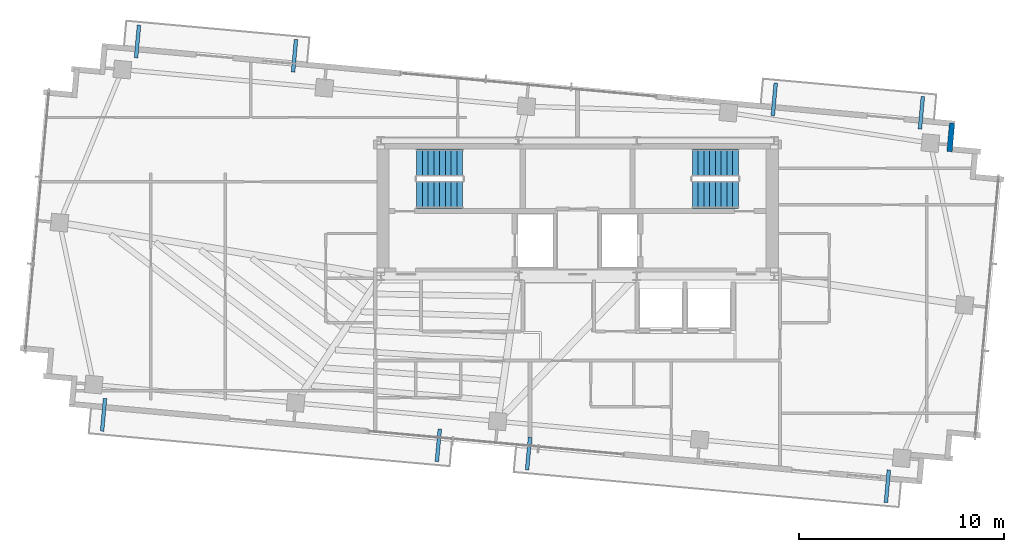
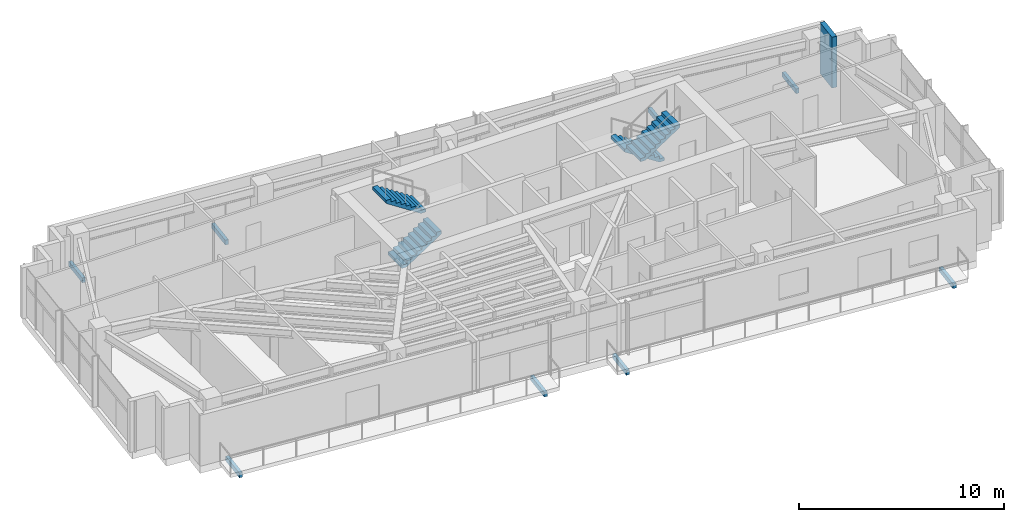
# One storey, part 19 of 22: 8 discrete accessories, 4 stair flights, 1 wall, 2 elements without a shape of their own.
"""IFC4 building model written with IfcOpenShell, lengths in metres."""

from ifc_helpers import new_model, si_unit, direction, frame, frame_2d, origin, origin_2d, place, context, subcontext, project, spatial, polyline, rectangle, outline, extrude, source, transform, mapped, material, layer, layer_set, type_object, type_shapes, element, aggregate, save


model = new_model("IFC4")

# Units and contexts
model_context = context("Model", 3, precision=1e-05, world=origin(), true_north=direction((0.0, 1.0)))
body_context = subcontext(model_context, "Body", "Model", "MODEL_VIEW")
ifc_project = project(units=[si_unit("LENGTHUNIT", "METRE"), si_unit("AREAUNIT", "SQUARE_METRE"), si_unit("VOLUMEUNIT", "CUBIC_METRE"), si_unit("PLANEANGLEUNIT", "RADIAN"), si_unit("MASSUNIT", "GRAM", prefix="KILO")], contexts=[model_context])

# Site, building, storey
site_placement = place(None, origin())
site = spatial("IfcSite", under=ifc_project, at=site_placement, CompositionType="ELEMENT")
building_placement = place(site_placement, origin())
building = spatial("IfcBuilding", under=site, at=building_placement, Name="Astriad Promenade Condominiums", CompositionType="ELEMENT")
storey_placement = place(building_placement, frame((0.0, 0.0, 216.60009765625)))
storey = spatial("IfcBuildingStorey", under=building, at=storey_placement, Name="L62", CompositionType="ELEMENT", Elevation=216.60009765625)

# Wall
ifc_material_1 = material(Name="Precast concrete C50/60", Category="concrete")
ifc_layer = layer(ifc_material_1, 0.260009765625)
ifc_layer_set = layer_set([ifc_layer], Name="Precast concrete C50/60")
wall_type = type_object("IfcWallType", Name="WALL-EXT-TWR-260", PredefinedType="STANDARD", material=ifc_layer_set)
wall_placement = place(storey_placement, frame((54.28076171875, 24.866455078125, 0.0), z_axis=(0.0, 0.0, 1.0), x_axis=(-0.090661991521, -0.995881721538, 0.0)))
element("IfcWall", 1, at=wall_placement, inside=storey, type_object=wall_type, Name="W-SER-L62-09", PredefinedType="STANDARD", context=body_context, shape_type="SweptSolid", body=[
    extrude(rectangle(XDim=1.39501953125, YDim=0.260009765625, at=frame_2d((0.697509765625, 0.0))), origin(), (0.0, 0.0, 1.0), 3.039794921875),
])

# Stair, stair flights
ifc_material_2 = material(Name="Concrete C50/60", Category="concrete")
stair_type = type_object("IfcStairType", Name="STR-CORE-1350", PredefinedType="HALF_TURN_STAIR", material=ifc_material_2)
stair_1_placement = place(storey_placement, origin())
stair_1 = element("IfcStair", 2, at=stair_1_placement, inside=storey, type_object=stair_type, Name="L62 Enclosed Core Exit Stair ST-1", PredefinedType="HALF_TURN_STAIR")
stair_flight_type = type_object("IfcStairFlightType", Name="SFL-CORE-1350", PredefinedType="STRAIGHT", material=ifc_material_2)
shared_shape_1 = source(origin(), body_context, "Body", "SweptSolid", [
    extrude(outline(polyline([(0.0, 0.0), (0.0, 0.183349609375), (0.280029296875, 0.183349609375), (0.280029296875, 0.36669921875), (0.56005859375, 0.36669921875), (0.56005859375, 0.550048828125), (0.840087890625, 0.550048828125), (0.840087890625, 0.7333984375), (1.1201171875, 0.7333984375), (1.1201171875, 0.916748046875), (1.39990234375, 0.916748046875), (1.39990234375, 1.10009765625), (1.679931640625, 1.10009765625), (1.679931640625, 1.283447265625), (1.9599609375, 1.283447265625), (1.9599609375, 1.466552734375), (2.239990234375, 1.466552734375), (2.239990234375, 1.64990234375), (2.239990234375, 1.28759765625), (0.273681640625, 0.0), (0.0, 0.0)])), frame((0.0, 0.675048828125, 0.0), z_axis=(0.0, -1.0, 0.0), x_axis=(1.0, 0.0, 0.0)), (0.0, 0.0, 1.0), 1.35009765625),
])
type_shapes(stair_flight_type, [shared_shape_1])
stair_flight_1_placement = place(storey_placement, frame((28.14990234375, 21.375, 0.0), z_axis=(0.0, 0.0, 1.0), x_axis=(1.0, 0.0, 0.0)))
stair_flight_1 = element("IfcStairFlight", 3, at=stair_flight_1_placement, type_object=stair_flight_type, Name="ST-1 flight 1", NumberOfRisers=9, NumberOfTreads=8, PredefinedType="STRAIGHT", RiserHeight=0.183333333, TreadLength=0.28, context=body_context, shape_type="MappedRepresentation", body=[
    mapped(shared_shape_1, transform((0.0, 0.0, 0.0), scale=1.0)),
])
stair_flight_2_placement = place(storey_placement, frame((30.389892578125, 22.925048828125, 1.64990234375), z_axis=(0.0, 0.0, 1.0), x_axis=(-1.0, 0.0, 0.0)))
stair_flight_2 = element("IfcStairFlight", 4, at=stair_flight_2_placement, type_object=stair_flight_type, Name="ST-1 flight 2", NumberOfRisers=9, NumberOfTreads=8, PredefinedType="STRAIGHT", RiserHeight=0.183333333, TreadLength=0.28, context=body_context, shape_type="MappedRepresentation", body=[
    mapped(shared_shape_1, transform((0.0, 0.0, 0.0), scale=1.0)),
])
aggregate(stair_1, [stair_flight_1, stair_flight_2])

stair_2_placement = place(storey_placement, origin())
stair_2 = element("IfcStair", 5, at=stair_2_placement, inside=storey, type_object=stair_type, Name="L62 Enclosed Core Exit Stair ST-2", PredefinedType="HALF_TURN_STAIR")
stair_flight_3_placement = place(storey_placement, frame((43.85009765625, 22.925048828125, 0.0), z_axis=(0.0, 0.0, 1.0), x_axis=(-1.0, 0.0, 0.0)))
stair_flight_3 = element("IfcStairFlight", 6, at=stair_flight_3_placement, type_object=stair_flight_type, Name="ST-2 flight 1", NumberOfRisers=9, NumberOfTreads=8, PredefinedType="STRAIGHT", RiserHeight=0.183333333, TreadLength=0.28, context=body_context, shape_type="MappedRepresentation", body=[
    mapped(shared_shape_1, transform((0.0, 0.0, 0.0), scale=1.0)),
])
stair_flight_4_placement = place(storey_placement, frame((41.610107421875, 21.375, 1.64990234375), z_axis=(0.0, 0.0, 1.0), x_axis=(1.0, 0.0, 0.0)))
stair_flight_4 = element("IfcStairFlight", 7, at=stair_flight_4_placement, type_object=stair_flight_type, Name="ST-2 flight 2", NumberOfRisers=9, NumberOfTreads=8, PredefinedType="STRAIGHT", RiserHeight=0.183333333, TreadLength=0.28, context=body_context, shape_type="MappedRepresentation", body=[
    mapped(shared_shape_1, transform((0.0, 0.0, 0.0), scale=1.0)),
])
aggregate(stair_2, [stair_flight_3, stair_flight_4])

# Discrete accessories
ifc_material_3 = material(Name="Steel ASTM A572 Grade 50", Category="steel")
discrete_accessory_type = type_object("IfcDiscreteAccessoryType", Name="STEEL BALCONY OUTRIGGER BRACKET", PredefinedType="BRACKET", material=ifc_material_3)
shared_shape_2 = source(origin(), body_context, "Body", "SweptSolid", [
    extrude(rectangle(XDim=1.60009765625, YDim=0.179931640625, at=origin_2d()), origin(), (0.0, 0.0, 1.0), 0.281982421875),
])
type_shapes(discrete_accessory_type, [shared_shape_2])
for number, where, z_axis, x_axis, name in (
    (8, (12.86474609375, 10.62646484375, -0.5), (0.0, 0.0, 1.0), (-0.090632580198, -0.995884398616, 0.0), "Balcony Outrigger Bracket BAL-L62-SW-A"),
    (9, (29.2041015625, 9.139404296875, -0.5), (0.0, 0.0, 1.0), (-0.090632580198, -0.995884398616, 0.0), "Balcony Outrigger Bracket BAL-L62-SW-B"),
    (10, (33.60791015625, 8.73876953125, -0.5), (0.0, 0.0, 1.0), (-0.090632580198, -0.995884398616, 0.0), "Balcony Outrigger Bracket BAL-L62-SE-A"),
    (11, (51.12255859375, 7.144775390625, -0.5), (0.0, 0.0, 1.0), (-0.090632580198, -0.995884398616, 0.0), "Balcony Outrigger Bracket BAL-L62-SE-B"),
    (12, (14.523193359375, 28.85107421875, -0.5), (0.0, 0.0, 1.0), (0.090632580198, 0.995884398616, 0.0), "Balcony Outrigger Bracket BAL-L62-NW-A"),
    (13, (22.1865234375, 28.15380859375, -0.5), (0.0, 0.0, 1.0), (0.090632580198, 0.995884398616, 0.0), "Balcony Outrigger Bracket BAL-L62-NW-B"),
    (14, (45.599853515625, 26.02294921875, -0.5), (0.0, 0.0, 1.0), (0.090632580198, 0.995884398616, 0.0), "Balcony Outrigger Bracket BAL-L62-NE-A"),
    (15, (52.781005859375, 25.369384765625, -0.5), (0.0, 0.0, 1.0), (0.090632580198, 0.995884398616, 0.0), "Balcony Outrigger Bracket BAL-L62-NE-B"),
):
    element("IfcDiscreteAccessory", number, at=place(storey_placement, frame(where, z_axis=z_axis, x_axis=x_axis)), inside=storey, type_object=discrete_accessory_type, Name=name, PredefinedType="BRACKET", context=body_context, shape_type="MappedRepresentation", body=[
        mapped(shared_shape_2, transform((0.0, 0.0, 0.0), scale=1.0)),
    ])

save(model, "model.ifc")
